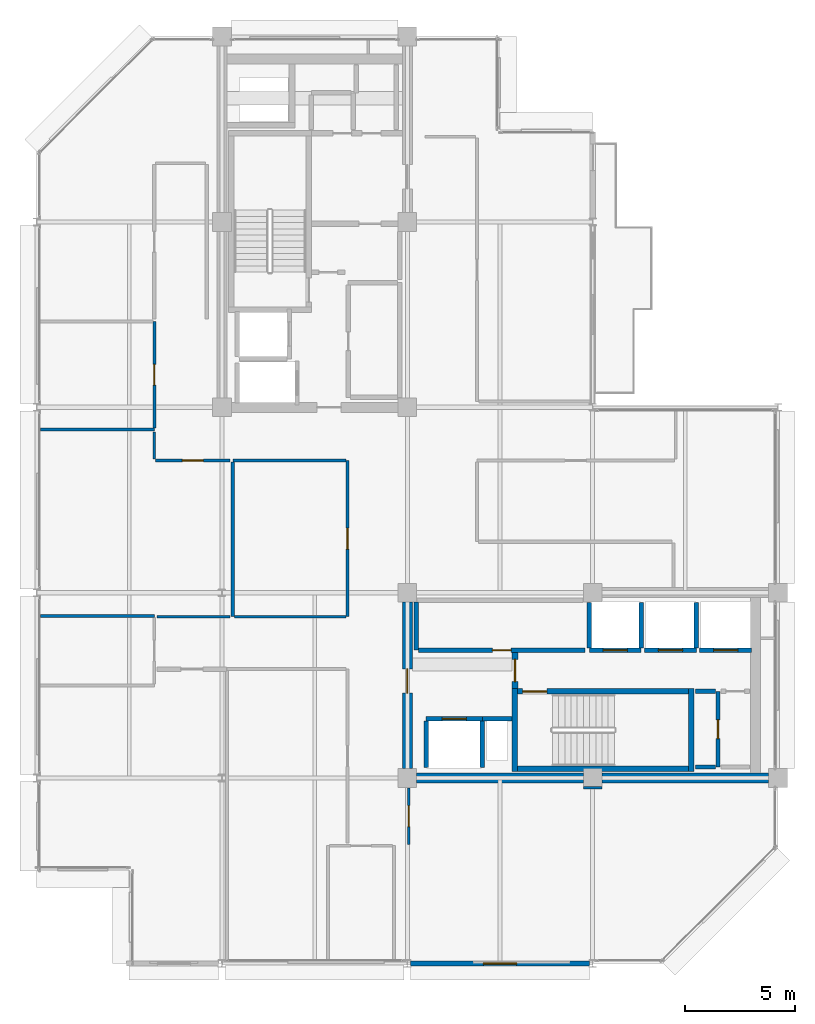
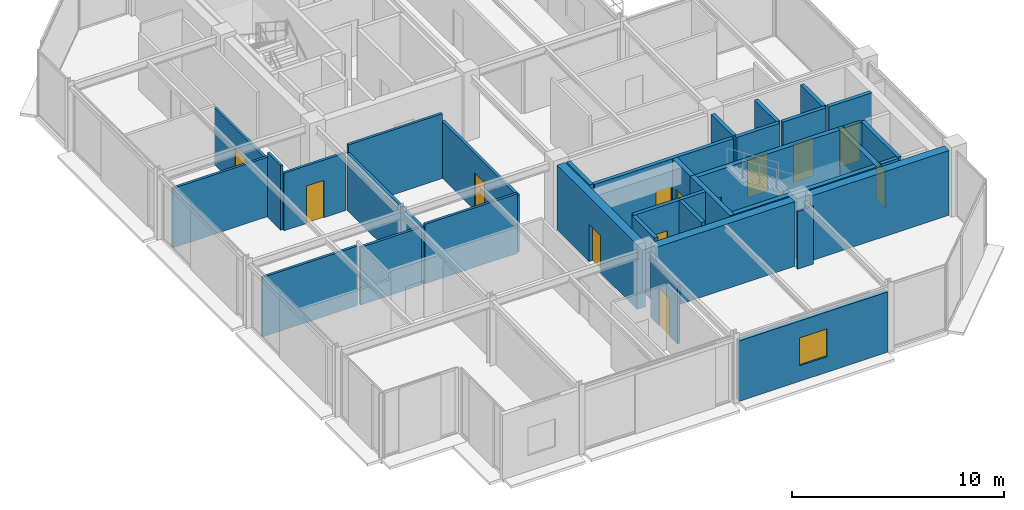
# One storey, part 20 of 25: 36 walls, 13 doors, 1 window, 14 openings.
"""IFC4 building model written with IfcOpenShell, lengths in metres."""

from ifc_helpers import new_model, si_unit, direction, frame, frame_2d, origin, place, context, subcontext, project, spatial, rectangle, extrude, material, layer, layer_set, type_object, element, fill, save


model = new_model("IFC4")

# Units and contexts
model_context = context("Model", 3, precision=1e-05, world=origin(), true_north=direction((0.0, 1.0)))
body_context = subcontext(model_context, "Body", "Model", "MODEL_VIEW")
ifc_project = project(units=[si_unit("LENGTHUNIT", "METRE"), si_unit("AREAUNIT", "SQUARE_METRE"), si_unit("VOLUMEUNIT", "CUBIC_METRE"), si_unit("PLANEANGLEUNIT", "RADIAN"), si_unit("MASSUNIT", "GRAM", prefix="KILO")], contexts=[model_context])

# Site, building, storey
site_placement = place(None, origin())
site = spatial("IfcSite", under=ifc_project, at=site_placement, CompositionType="ELEMENT")
building_placement = place(site_placement, origin())
building = spatial("IfcBuilding", under=site, at=building_placement, Name="Nerrivon Quay Data Exchange", CompositionType="ELEMENT")
storey_placement = place(building_placement, frame((0.0, 0.0, 302.199951171875)))
storey = spatial("IfcBuildingStorey", under=building, at=storey_placement, Name="L72", CompositionType="ELEMENT", Elevation=302.199951171875)

# Wall, opening, window
ifc_material_1 = material(Name="Architectural terracotta precast concrete N50 (50 MPa)", Category="masonry")
ifc_layer_1 = layer(ifc_material_1, 0.239990234375)
ifc_layer_set_1 = layer_set([ifc_layer_1], Name="Architectural terracotta precast concrete N50 (50 MPa)")
wall_type_1 = type_object("IfcWallType", Name="EW-PREC-240", PredefinedType="STANDARD", material=ifc_layer_set_1)
wall_1_placement = place(storey_placement, frame((25.04443359375, 0.0, 0.0), z_axis=(0.0, 0.0, 1.0), x_axis=(-1.0, 0.0, 0.0)))
wall_1 = element("IfcWall", 1, at=wall_1_placement, inside=storey, type_object=wall_type_1, Name="L72 Podium Precast Spandrel Wall 3", PredefinedType="STANDARD", context=body_context, shape_type="SweptSolid", body=[
    extrude(rectangle(XDim=8.0888671875, YDim=0.239990234375, at=frame_2d((4.04443359375, 0.0))), origin(), (0.0, 0.0, 1.0), 3.47509765625),
])
opening_1_placement = place(wall_1_placement, frame((3.29443359375, 0.0, 0.89990234375)))
opening_1 = element("IfcOpeningElement", 2, at=opening_1_placement, cuts=wall_1, Name="Opening WN4", PredefinedType="OPENING", context=body_context, shape_type="SweptSolid", body=[
    extrude(rectangle(XDim=1.5, YDim=1.60009765625, at=frame_2d((0.75, 0.800048828125))), frame((0.0, 0.1298828125, 0.0), z_axis=(0.0, -1.0, 0.0), x_axis=(1.0, 0.0, 0.0)), (0.0, 0.0, 1.0), 0.260009765625),
])
ifc_material_2 = material(Name="Double-glazed low-E solar control glass", Category="glass")
window_type = type_object("IfcWindowType", Name="WIN-W4-1500x1600", PartitioningType="SINGLE_PANEL", PredefinedType="WINDOW", material=ifc_material_2)
window_placement = place(opening_1_placement, origin())
window = element("IfcWindow", 3, at=window_placement, inside=storey, type_object=window_type, Name="L72 Solar Facade Window 3", OverallHeight=1.60009765625, OverallWidth=1.5, PartitioningType="SINGLE_PANEL", PredefinedType="WINDOW", context=body_context, shape_type="SweptSolid", body=[
    extrude(rectangle(XDim=1.5, YDim=1.60009765625, at=frame_2d((0.75, 0.800048828125))), frame((0.0, 0.030029296875, 0.0), z_axis=(0.0, -1.0, 0.0), x_axis=(1.0, 0.0, 0.0)), (0.0, 0.0, 1.0), 0.06005859375),
])
fill(opening_1, window)

# Walls
ifc_material_3 = material(Name="Concrete N50 (50 MPa)", Category="concrete")
ifc_layer_2 = layer(ifc_material_3, 0.449951171875)
ifc_layer_set_2 = layer_set([ifc_layer_2], Name="Concrete N50 (50 MPa)")
wall_type_2 = type_object("IfcWallType", Name="WALL-CW-550", PredefinedType="SHEAR", material=ifc_layer_set_2)
wall_2_placement = place(storey_placement, frame((17.22509765625, 8.39990234375, 0.0), z_axis=(0.0, 0.0, 1.0), x_axis=(1.0, 0.0, 0.0)))
element("IfcWall", 4, at=wall_2_placement, inside=storey, type_object=wall_type_2, Name="L72 East Split-Core Shear Wall ECW-S1", PredefinedType="SHEAR", context=body_context, shape_type="SweptSolid", body=[
    extrude(rectangle(XDim=7.5498046875, YDim=0.449951171875, at=frame_2d((3.77490234375, 0.0))), origin(), (0.0, 0.0, 1.0), 3.72509765625),
])
wall_3_placement = place(storey_placement, frame((25.625, 8.39990234375, 0.0), z_axis=(0.0, 0.0, 1.0), x_axis=(1.0, 0.0, 0.0)))
element("IfcWall", 5, at=wall_3_placement, inside=storey, type_object=wall_type_2, Name="L72 East Split-Core Shear Wall ECW-S2", PredefinedType="SHEAR", context=body_context, shape_type="SweptSolid", body=[
    extrude(rectangle(XDim=7.550048828125, YDim=0.449951171875, at=frame_2d((3.77490234375, 0.0))), origin(), (0.0, 0.0, 1.0), 3.72509765625),
])

# Wall, opening, door
wall_4_placement = place(storey_placement, frame((16.800048828125, 8.824951171875, 0.0), z_axis=(0.0, 0.0, 1.0), x_axis=(0.0, 1.0, 0.0)))
wall_4 = element("IfcWall", 6, at=wall_4_placement, inside=storey, type_object=wall_type_2, Name="L72 East Split-Core Shear Wall ECW-W1", PredefinedType="SHEAR", context=body_context, shape_type="SweptSolid", body=[
    extrude(rectangle(XDim=7.550048828125, YDim=0.449951171875, at=frame_2d((3.77490234375, 0.0))), origin(), (0.0, 0.0, 1.0), 3.72509765625),
])
opening_2_placement = place(wall_4_placement, frame((3.425048828125, 0.0, 0.0)))
opening_2 = element("IfcOpeningElement", 7, at=opening_2_placement, cuts=wall_4, Name="Opening FD-120", PredefinedType="OPENING", context=body_context, shape_type="SweptSolid", body=[
    extrude(rectangle(XDim=1.10009765625, YDim=2.14990234375, at=frame_2d((0.550048828125, 1.074951171875))), frame((0.0, 0.23486328125, 0.0), z_axis=(0.0, -1.0, 0.0), x_axis=(1.0, 0.0, 0.0)), (0.0, 0.0, 1.0), 0.469970703125),
])
ifc_material_4 = material(Name="Powder-coated galvanized steel sheet", Category="steel")
door_type_1 = type_object("IfcDoorType", Name="DR-FD120-1100", OperationType="NOTDEFINED", PredefinedType="DOOR", material=ifc_material_4)
door_1_placement = place(opening_2_placement, origin())
door_1 = element("IfcDoor", 8, at=door_1_placement, inside=storey, type_object=door_type_1, Name="L72 East Core Lobby Fire Door", OperationType="SINGLE_SWING_RIGHT", OverallHeight=2.14990234375, OverallWidth=1.10009765625, PredefinedType="DOOR", context=body_context, shape_type="SweptSolid", body=[
    extrude(rectangle(XDim=1.10009765625, YDim=2.14990234375, at=frame_2d((0.550048828125, 1.074951171875))), frame((0.0, 0.02490234375, 0.0), z_axis=(0.0, -1.0, 0.0), x_axis=(1.0, 0.0, 0.0)), (0.0, 0.0, 1.0), 0.050048828125),
])
fill(opening_2, door_1)

# Wall
ifc_material_5 = material(Name="Gypsum plasterboard on cold-formed framing", Category="gypsum")
ifc_layer_3 = layer(ifc_material_5, 0.199951171875)
ifc_layer_set_3 = layer_set([ifc_layer_3], Name="Gypsum plasterboard on cold-formed framing")
wall_type_3 = type_object("IfcWallType", Name="WALL-FW-200", PredefinedType="PARTITIONING", material=ifc_layer_set_3)
wall_5_placement = place(storey_placement, frame((20.199951171875, 11.080078125, 0.0), z_axis=(0.0, 0.0, 1.0), x_axis=(1.0, 0.0, 0.0)))
element("IfcWall", 9, at=wall_5_placement, inside=storey, type_object=wall_type_3, Name="L72 East Core MEP Riser Shaft Wall N", PredefinedType="PARTITIONING", context=body_context, shape_type="SweptSolid", body=[
    extrude(rectangle(XDim=1.35009765625, YDim=0.199951171875, at=frame_2d((0.675048828125, 0.0))), origin(), (0.0, 0.0, 1.0), 3.72509765625),
])

# Wall, opening, door
wall_6_placement = place(storey_placement, frame((17.64990234375, 11.080078125, 0.0), z_axis=(0.0, 0.0, 1.0), x_axis=(1.0, 0.0, 0.0)))
wall_6 = element("IfcWall", 10, at=wall_6_placement, inside=storey, type_object=wall_type_3, Name="L72 Lift Front Wall FFL-2", PredefinedType="PARTITIONING", context=body_context, shape_type="SweptSolid", body=[
    extrude(rectangle(XDim=2.550048828125, YDim=0.199951171875, at=frame_2d((1.27490234375, 0.0))), origin(), (0.0, 0.0, 1.0), 3.72509765625),
])
opening_3_placement = place(wall_6_placement, frame((0.72509765625, 0.0, 0.0)))
opening_3 = element("IfcOpeningElement", 11, at=opening_3_placement, cuts=wall_6, Name="Opening LD-120", PredefinedType="OPENING", context=body_context, shape_type="SweptSolid", body=[
    extrude(rectangle(XDim=1.10009765625, YDim=2.199951171875, at=frame_2d((0.550048828125, 1.10009765625))), frame((0.0, 0.10986328125, 0.0), z_axis=(0.0, -1.0, 0.0), x_axis=(1.0, 0.0, 0.0)), (0.0, 0.0, 1.0), 0.219970703125),
])
door_type_2 = type_object("IfcDoorType", Name="DR-LIFT-LD120", OperationType="DOUBLE_DOOR_SLIDING", PredefinedType="DOOR", material=ifc_material_4)
door_2_placement = place(opening_3_placement, origin())
door_2 = element("IfcDoor", 12, at=door_2_placement, inside=storey, type_object=door_type_2, Name="L72 Lift Landing Sliding Door FFL-2", OperationType="DOUBLE_DOOR_SLIDING", OverallHeight=2.199951171875, OverallWidth=1.10009765625, PredefinedType="DOOR", context=body_context, shape_type="SweptSolid", body=[
    extrude(rectangle(XDim=1.10009765625, YDim=2.199951171875, at=frame_2d((0.550048828125, 1.10009765625))), frame((0.0, 0.02490234375, 0.0), z_axis=(0.0, -1.0, 0.0), x_axis=(1.0, 0.0, 0.0)), (0.0, 0.0, 1.0), 0.050048828125),
])
fill(opening_3, door_2)

# Walls
for number, where, z_axis, x_axis, name in (
    (13, (20.199951171875, 8.8798828125, 0.0), (0.0, 0.0, 1.0), (0.0, 1.0, 0.0), "L72 Lift Shaft Wall FFL-2 EAST"),
    (14, (17.64990234375, 8.8798828125, 0.0), (0.0, 0.0, 1.0), (0.0, 1.0, 0.0), "L72 Lift Shaft Wall FFL-2 WEST"),
):
    element("IfcWall", number, at=place(storey_placement, frame(where, z_axis=z_axis, x_axis=x_axis)), inside=storey, type_object=wall_type_3, Name=name, PredefinedType="PARTITIONING", context=body_context, shape_type="SweptSolid", body=[
        extrude(rectangle(XDim=2.10009765625, YDim=0.199951171875, at=frame_2d((1.050048828125, 0.0))), origin(), (0.0, 0.0, 1.0), 3.72509765625),
    ])

# Wall, opening, door
wall_7_placement = place(storey_placement, frame((25.050048828125, 14.199951171875, 0.0), z_axis=(0.0, 0.0, 1.0), x_axis=(1.0, 0.0, 0.0)))
wall_7 = element("IfcWall", 15, at=wall_7_placement, inside=storey, type_object=wall_type_3, Name="L72 Lift Front Wall PL7", PredefinedType="PARTITIONING", context=body_context, shape_type="SweptSolid", body=[
    extrude(rectangle(XDim=2.349853515625, YDim=0.199951171875, at=frame_2d((1.1748046875, 0.0))), origin(), (0.0, 0.0, 1.0), 3.72509765625),
])
opening_4_placement = place(wall_7_placement, frame((0.625, 0.0, 0.0)))
opening_4 = element("IfcOpeningElement", 16, at=opening_4_placement, cuts=wall_7, Name="Opening LD-120", PredefinedType="OPENING", context=body_context, shape_type="SweptSolid", body=[
    extrude(rectangle(XDim=1.10009765625, YDim=2.199951171875, at=frame_2d((0.550048828125, 1.10009765625))), frame((0.0, 0.10986328125, 0.0), z_axis=(0.0, -1.0, 0.0), x_axis=(1.0, 0.0, 0.0)), (0.0, 0.0, 1.0), 0.219970703125),
])
door_3_placement = place(opening_4_placement, origin())
door_3 = element("IfcDoor", 17, at=door_3_placement, inside=storey, type_object=door_type_2, Name="L72 Lift Landing Sliding Door PL7", OperationType="DOUBLE_DOOR_SLIDING", OverallHeight=2.199951171875, OverallWidth=1.10009765625, PredefinedType="DOOR", context=body_context, shape_type="SweptSolid", body=[
    extrude(rectangle(XDim=1.10009765625, YDim=2.199951171875, at=frame_2d((0.550048828125, 1.10009765625))), frame((0.0, 0.02490234375, 0.0), z_axis=(0.0, -1.0, 0.0), x_axis=(1.0, 0.0, 0.0)), (0.0, 0.0, 1.0), 0.050048828125),
])
fill(opening_4, door_3)

# Walls
for number, where, z_axis, x_axis, name in (
    (18, (27.39990234375, 14.300048828125, 0.0), (0.0, 0.0, 1.0), (0.0, 1.0, 0.0), "L72 Lift Shaft Wall PL7 EAST"),
    (19, (25.050048828125, 14.300048828125, 0.0), (0.0, 0.0, 1.0), (0.0, 1.0, 0.0), "L72 Lift Shaft Wall PL7 WEST"),
):
    element("IfcWall", number, at=place(storey_placement, frame(where, z_axis=z_axis, x_axis=x_axis)), inside=storey, type_object=wall_type_3, Name=name, PredefinedType="PARTITIONING", context=body_context, shape_type="SweptSolid", body=[
        extrude(rectangle(XDim=2.050048828125, YDim=0.199951171875, at=frame_2d((1.02490234375, 0.0))), origin(), (0.0, 0.0, 1.0), 3.72509765625),
    ])

# Wall, opening, door
wall_8_placement = place(storey_placement, frame((27.550048828125, 14.199951171875, 0.0), z_axis=(0.0, 0.0, 1.0), x_axis=(1.0, 0.0, 0.0)))
wall_8 = element("IfcWall", 20, at=wall_8_placement, inside=storey, type_object=wall_type_3, Name="L72 Lift Front Wall PL8", PredefinedType="PARTITIONING", context=body_context, shape_type="SweptSolid", body=[
    extrude(rectangle(XDim=2.349853515625, YDim=0.199951171875, at=frame_2d((1.1748046875, 0.0))), origin(), (0.0, 0.0, 1.0), 3.72509765625),
])
opening_5_placement = place(wall_8_placement, frame((0.625, 0.0, 0.0)))
opening_5 = element("IfcOpeningElement", 21, at=opening_5_placement, cuts=wall_8, Name="Opening LD-120", PredefinedType="OPENING", context=body_context, shape_type="SweptSolid", body=[
    extrude(rectangle(XDim=1.10009765625, YDim=2.199951171875, at=frame_2d((0.550048828125, 1.10009765625))), frame((0.0, 0.10986328125, 0.0), z_axis=(0.0, -1.0, 0.0), x_axis=(1.0, 0.0, 0.0)), (0.0, 0.0, 1.0), 0.219970703125),
])
door_4_placement = place(opening_5_placement, origin())
door_4 = element("IfcDoor", 22, at=door_4_placement, inside=storey, type_object=door_type_2, Name="L72 Lift Landing Sliding Door PL8", OperationType="DOUBLE_DOOR_SLIDING", OverallHeight=2.199951171875, OverallWidth=1.10009765625, PredefinedType="DOOR", context=body_context, shape_type="SweptSolid", body=[
    extrude(rectangle(XDim=1.10009765625, YDim=2.199951171875, at=frame_2d((0.550048828125, 1.10009765625))), frame((0.0, 0.02490234375, 0.0), z_axis=(0.0, -1.0, 0.0), x_axis=(1.0, 0.0, 0.0)), (0.0, 0.0, 1.0), 0.050048828125),
])
fill(opening_5, door_4)

# Wall
wall_9_placement = place(storey_placement, frame((29.89990234375, 14.300048828125, 0.0), z_axis=(0.0, 0.0, 1.0), x_axis=(0.0, 1.0, 0.0)))
element("IfcWall", 23, at=wall_9_placement, inside=storey, type_object=wall_type_3, Name="L72 Lift Shaft Wall PL8 EAST", PredefinedType="PARTITIONING", context=body_context, shape_type="SweptSolid", body=[
    extrude(rectangle(XDim=2.050048828125, YDim=0.199951171875, at=frame_2d((1.02490234375, 0.0))), origin(), (0.0, 0.0, 1.0), 3.72509765625),
])

# Wall, opening, door
wall_10_placement = place(storey_placement, frame((30.050048828125, 14.199951171875, 0.0), z_axis=(0.0, 0.0, 1.0), x_axis=(1.0, 0.0, 0.0)))
wall_10 = element("IfcWall", 24, at=wall_10_placement, inside=storey, type_object=wall_type_3, Name="L72 Lift Front Wall PL9", PredefinedType="PARTITIONING", context=body_context, shape_type="SweptSolid", body=[
    extrude(rectangle(XDim=2.349853515625, YDim=0.199951171875, at=frame_2d((1.1748046875, 0.0))), origin(), (0.0, 0.0, 1.0), 3.72509765625),
])
opening_6_placement = place(wall_10_placement, frame((0.625, 0.0, 0.0)))
opening_6 = element("IfcOpeningElement", 25, at=opening_6_placement, cuts=wall_10, Name="Opening LD-120", PredefinedType="OPENING", context=body_context, shape_type="SweptSolid", body=[
    extrude(rectangle(XDim=1.10009765625, YDim=2.199951171875, at=frame_2d((0.550048828125, 1.10009765625))), frame((0.0, 0.10986328125, 0.0), z_axis=(0.0, -1.0, 0.0), x_axis=(1.0, 0.0, 0.0)), (0.0, 0.0, 1.0), 0.219970703125),
])
door_5_placement = place(opening_6_placement, origin())
door_5 = element("IfcDoor", 26, at=door_5_placement, inside=storey, type_object=door_type_2, Name="L72 Lift Landing Sliding Door PL9", OperationType="DOUBLE_DOOR_SLIDING", OverallHeight=2.199951171875, OverallWidth=1.10009765625, PredefinedType="DOOR", context=body_context, shape_type="SweptSolid", body=[
    extrude(rectangle(XDim=1.10009765625, YDim=2.199951171875, at=frame_2d((0.550048828125, 1.10009765625))), frame((0.0, 0.02490234375, 0.0), z_axis=(0.0, -1.0, 0.0), x_axis=(1.0, 0.0, 0.0)), (0.0, 0.0, 1.0), 0.050048828125),
])
fill(opening_6, door_5)

# Wall
wall_11_placement = place(storey_placement, frame((17.199951171875, 16.3701171875, 0.0), z_axis=(0.0, 0.0, 1.0), x_axis=(0.0, -1.0, 0.0)))
element("IfcWall", 27, at=wall_11_placement, inside=storey, type_object=wall_type_3, Name="L72 Partition High-Zone Patching Archive", PredefinedType="PARTITIONING", context=body_context, shape_type="SweptSolid", body=[
    extrude(rectangle(XDim=2.170166015625, YDim=0.199951171875, at=frame_2d((1.0849609375, 0.0))), origin(), (0.0, 0.0, 1.0), 3.72509765625),
])

# Wall, opening, door
wall_12_placement = place(storey_placement, frame((17.303955078125, 14.199951171875, 0.0), z_axis=(0.0, 0.0, 1.0), x_axis=(1.0, 0.0, 0.0)))
wall_12 = element("IfcWall", 28, at=wall_12_placement, inside=storey, type_object=wall_type_3, Name="L72 Partition High-Zone Patching Archive", PredefinedType="PARTITIONING", context=body_context, shape_type="SweptSolid", body=[
    extrude(rectangle(XDim=7.546142578125, YDim=0.199951171875, at=frame_2d((3.77294921875, 0.0))), origin(), (0.0, 0.0, 1.0), 3.72509765625),
])
opening_7_placement = place(wall_12_placement, frame((3.347900390625, 0.0, 0.0)))
opening_7 = element("IfcOpeningElement", 29, at=opening_7_placement, cuts=wall_12, Name="Opening FD-60S", PredefinedType="OPENING", context=body_context, shape_type="SweptSolid", body=[
    extrude(rectangle(XDim=0.85009765625, YDim=2.14990234375, at=frame_2d((0.425048828125, 1.074951171875))), frame((0.0, 0.10986328125, 0.0), z_axis=(0.0, -1.0, 0.0), x_axis=(1.0, 0.0, 0.0)), (0.0, 0.0, 1.0), 0.219970703125),
])
ifc_material_6 = material(Name="Engineered hardwood timber", Category="wood")
door_type_3 = type_object("IfcDoorType", Name="DR-FD60-850", OperationType="NOTDEFINED", PredefinedType="DOOR", material=ifc_material_6)
door_6_placement = place(opening_7_placement, origin())
door_6 = element("IfcDoor", 30, at=door_6_placement, inside=storey, type_object=door_type_3, Name="L72 Door High-Zone Patching Archive", OperationType="SINGLE_SWING_LEFT", OverallHeight=2.14990234375, OverallWidth=0.85009765625, PredefinedType="DOOR", context=body_context, shape_type="SweptSolid", body=[
    extrude(rectangle(XDim=0.85009765625, YDim=2.14990234375, at=frame_2d((0.425048828125, 1.074951171875))), frame((0.0, 0.02490234375, 0.0), z_axis=(0.0, -1.0, 0.0), x_axis=(1.0, 0.0, 0.0)), (0.0, 0.0, 1.0), 0.050048828125),
])
fill(opening_7, door_6)

wall_13_placement = place(storey_placement, frame((30.8798828125, 8.89990234375, 0.0), z_axis=(0.0, 0.0, 1.0), x_axis=(0.0, 1.0, 0.0)))
wall_13 = element("IfcWall", 31, at=wall_13_placement, inside=storey, type_object=wall_type_3, Name="L72 Partition East Electrical Closet", PredefinedType="PARTITIONING", context=body_context, shape_type="SweptSolid", body=[
    extrude(rectangle(XDim=3.43017578125, YDim=0.199951171875, at=frame_2d((1.715087890625, 0.0))), origin(), (0.0, 0.0, 1.0), 3.72509765625),
])
opening_8_placement = place(wall_13_placement, frame((1.2900390625, 0.0, 0.0)))
opening_8 = element("IfcOpeningElement", 32, at=opening_8_placement, cuts=wall_13, Name="Opening FD-60S", PredefinedType="OPENING", context=body_context, shape_type="SweptSolid", body=[
    extrude(rectangle(XDim=0.85009765625, YDim=2.14990234375, at=frame_2d((0.425048828125, 1.074951171875))), frame((0.0, 0.10986328125, 0.0), z_axis=(0.0, -1.0, 0.0), x_axis=(1.0, 0.0, 0.0)), (0.0, 0.0, 1.0), 0.219970703125),
])
door_7_placement = place(opening_8_placement, origin())
door_7 = element("IfcDoor", 33, at=door_7_placement, inside=storey, type_object=door_type_3, Name="L72 Door East Electrical Closet", OperationType="SINGLE_SWING_RIGHT", OverallHeight=2.14990234375, OverallWidth=0.85009765625, PredefinedType="DOOR", context=body_context, shape_type="SweptSolid", body=[
    extrude(rectangle(XDim=0.85009765625, YDim=2.14990234375, at=frame_2d((0.425048828125, 1.074951171875))), frame((0.0, 0.02490234375, 0.0), z_axis=(0.0, -1.0, 0.0), x_axis=(1.0, 0.0, 0.0)), (0.0, 0.0, 1.0), 0.050048828125),
])
fill(opening_8, door_7)

# Walls
for number, where, z_axis, x_axis, name in (
    (34, (30.77587890625, 12.330078125, 0.0), (0.0, 0.0, 1.0), (-1.0, 0.0, 0.0), "L72 Partition East Electrical Closet"),
    (35, (29.85009765625, 8.89990234375, 0.0), (0.0, 0.0, 1.0), (1.0, 0.0, 0.0), "L72 Partition East Electrical Closet"),
):
    element("IfcWall", number, at=place(storey_placement, frame(where, z_axis=z_axis, x_axis=x_axis)), inside=storey, type_object=wall_type_3, Name=name, PredefinedType="PARTITIONING", context=body_context, shape_type="SweptSolid", body=[
        extrude(rectangle(XDim=0.92578125, YDim=0.199951171875, at=frame_2d((0.462890625, 0.0))), origin(), (0.0, 0.0, 1.0), 3.72509765625),
    ])
ifc_layer_4 = layer(ifc_material_5, 0.1201171875)
ifc_layer_set_4 = layer_set([ifc_layer_4], Name="Gypsum plasterboard on cold-formed framing")
wall_type_4 = type_object("IfcWallType", Name="WALL-PT-120", PredefinedType="PARTITIONING", material=ifc_layer_set_4)
wall_14_placement = place(storey_placement, frame((5.340087890625, 22.85009765625, 0.0), z_axis=(0.0, 0.0, 1.0), x_axis=(0.0, 1.0, 0.0)))
element("IfcWall", 36, at=wall_14_placement, inside=storey, type_object=wall_type_4, Name="L72 Partition Client Conference Room 1", PredefinedType="PARTITIONING", context=body_context, shape_type="SweptSolid", body=[
    extrude(rectangle(XDim=1.225341796875, YDim=0.1201171875, at=frame_2d((0.61279296875, 0.0))), origin(), (0.0, 0.0, 1.0), 3.72509765625),
])
wall_15_placement = place(storey_placement, frame((25.630859375, 7.955810546875, 0.0), z_axis=(0.0, 0.0, 1.0), x_axis=(-0.99999963391, -0.000855675671, 0.0)))
element("IfcWall", 37, at=wall_15_placement, inside=storey, type_object=wall_type_4, Name="L72 Partition Optical Engineering Studios Workspace", PredefinedType="PARTITIONING", context=body_context, shape_type="SweptSolid", body=[
    extrude(rectangle(XDim=0.85595703125, YDim=0.1201171875, at=frame_2d((0.427978515625, 0.0))), origin(), (0.0, 0.0, 1.0), 3.319091796875),
])

# Wall, opening, door
wall_16_placement = place(storey_placement, frame((16.860107421875, 7.955078125, 0.0), z_axis=(0.0, 0.0, 1.0), x_axis=(0.0, -1.0, 0.0)))
wall_16 = element("IfcWall", 38, at=wall_16_placement, inside=storey, type_object=wall_type_4, Name="L72 Partition Optical Engineering Studios Workspace", PredefinedType="PARTITIONING", context=body_context, shape_type="SweptSolid", body=[
    extrude(rectangle(XDim=2.55517578125, YDim=0.1201171875, at=frame_2d((1.277587890625, 0.0))), origin(), (0.0, 0.0, 1.0), 3.319091796875),
])
opening_9_placement = place(wall_16_placement, frame((0.802490234375, 0.0, 0.0)))
opening_9 = element("IfcOpeningElement", 39, at=opening_9_placement, cuts=wall_16, Name="Opening D-01", PredefinedType="OPENING", context=body_context, shape_type="SweptSolid", body=[
    extrude(rectangle(XDim=0.949951171875, YDim=2.14990234375, at=frame_2d((0.47509765625, 1.074951171875))), frame((0.0, 0.070068359375, 0.0), z_axis=(0.0, -1.0, 0.0), x_axis=(1.0, 0.0, 0.0)), (0.0, 0.0, 1.0), 0.14013671875),
])
door_type_4 = type_object("IfcDoorType", Name="DR-INT-950", OperationType="NOTDEFINED", PredefinedType="DOOR", material=ifc_material_6)
door_8_placement = place(opening_9_placement, origin())
door_8 = element("IfcDoor", 40, at=door_8_placement, inside=storey, type_object=door_type_4, Name="L72 Door Optical Engineering Studios Workspace", OperationType="SINGLE_SWING_RIGHT", OverallHeight=2.14990234375, OverallWidth=0.949951171875, PredefinedType="DOOR", context=body_context, shape_type="SweptSolid", body=[
    extrude(rectangle(XDim=0.949951171875, YDim=2.14990234375, at=frame_2d((0.47509765625, 1.074951171875))), frame((0.0, 0.02490234375, 0.0), z_axis=(0.0, -1.0, 0.0), x_axis=(1.0, 0.0, 0.0)), (0.0, 0.0, 1.0), 0.050048828125),
])
fill(opening_9, door_8)

# Walls
ifc_layer_5 = layer(ifc_material_5, 0.135009765625)
ifc_layer_set_5 = layer_set([ifc_layer_5], Name="Gypsum plasterboard on cold-formed framing")
wall_type_5 = type_object("IfcWallType", Name="WALL-PT-135", PredefinedType="PARTITIONING", material=ifc_layer_set_5)
for number, where, z_axis, x_axis, name in (
    (41, (5.340087890625, 15.75, 0.0), (0.0, 0.0, 1.0), (-1.0, 0.0, 0.0), "L72 Partition Accessible Toilet"),
    (42, (0.1689453125, 24.195556640625, 0.0), (0.0, 0.0, 1.0), (1.0, 0.0, 0.0), "L72 Partition Staff Pantry"),
):
    element("IfcWall", number, at=place(storey_placement, frame(where, z_axis=z_axis, x_axis=x_axis)), inside=storey, type_object=wall_type_5, Name=name, PredefinedType="PARTITIONING", context=body_context, shape_type="SweptSolid", body=[
        extrude(rectangle(XDim=5.171142578125, YDim=0.135009765625, at=frame_2d((2.58544921875, 0.0))), origin(), (0.0, 0.0, 1.0), 3.421142578125),
    ])

# Wall, opening, door
wall_17_placement = place(storey_placement, frame((5.340087890625, 24.26708984375, 0.0), z_axis=(0.0, 0.0, 1.0), x_axis=(0.0, 1.0, 0.0)))
wall_17 = element("IfcWall", 43, at=wall_17_placement, inside=storey, type_object=wall_type_5, Name="L72 Partition Staff Pantry", PredefinedType="PARTITIONING", context=body_context, shape_type="SweptSolid", body=[
    extrude(rectangle(XDim=4.814697265625, YDim=0.135009765625, at=frame_2d((2.4072265625, 0.0))), origin(), (0.0, 0.0, 1.0), 3.27099609375),
])
opening_10_placement = place(wall_17_placement, frame((1.9326171875, 0.0, 0.0)))
opening_10 = element("IfcOpeningElement", 44, at=opening_10_placement, cuts=wall_17, Name="Opening D-01", PredefinedType="OPENING", context=body_context, shape_type="SweptSolid", body=[
    extrude(rectangle(XDim=0.949951171875, YDim=2.14990234375, at=frame_2d((0.47509765625, 1.074951171875))), frame((0.0, 0.077392578125, 0.0), z_axis=(0.0, -1.0, 0.0), x_axis=(1.0, 0.0, 0.0)), (0.0, 0.0, 1.0), 0.155029296875),
])
door_9_placement = place(opening_10_placement, origin())
door_9 = element("IfcDoor", 45, at=door_9_placement, inside=storey, type_object=door_type_4, Name="L72 Door Staff Pantry", OperationType="SINGLE_SWING_RIGHT", OverallHeight=2.14990234375, OverallWidth=0.949951171875, PredefinedType="DOOR", context=body_context, shape_type="SweptSolid", body=[
    extrude(rectangle(XDim=0.949951171875, YDim=2.14990234375, at=frame_2d((0.47509765625, 1.074951171875))), frame((0.0, 0.02490234375, 0.0), z_axis=(0.0, -1.0, 0.0), x_axis=(1.0, 0.0, 0.0)), (0.0, 0.0, 1.0), 0.050048828125),
])
fill(opening_10, door_9)

# Walls
wall_18_placement = place(storey_placement, frame((14.010986328125, 22.7900390625, 0.0), z_axis=(0.0, 0.0, 1.0), x_axis=(-1.0, 0.0, 0.0)))
element("IfcWall", 46, at=wall_18_placement, inside=storey, type_object=wall_type_5, Name="L72 Partition Network Security Control", PredefinedType="PARTITIONING", context=body_context, shape_type="SweptSolid", body=[
    extrude(rectangle(XDim=5.117919921875, YDim=0.135009765625, at=frame_2d((2.55908203125, 0.0))), origin(), (0.0, 0.0, 1.0), 3.72509765625),
])
wall_19_placement = place(storey_placement, frame((8.97216796875, 15.7099609375, 0.0), z_axis=(0.0, 0.0, 1.0), x_axis=(1.0, 0.0, 0.0)))
element("IfcWall", 47, at=wall_19_placement, inside=storey, type_object=wall_type_5, Name="L72 Partition Network Security Control", PredefinedType="PARTITIONING", context=body_context, shape_type="SweptSolid", body=[
    extrude(rectangle(XDim=5.038818359375, YDim=0.135009765625, at=frame_2d((2.51953125, 0.0))), origin(), (0.0, 0.0, 1.0), 3.421142578125),
])
wall_20_placement = place(storey_placement, frame((5.4599609375, 15.7099609375, 0.0), z_axis=(0.0, 0.0, 1.0), x_axis=(1.0, 0.0, 0.0)))
element("IfcWall", 48, at=wall_20_placement, inside=storey, type_object=wall_type_5, Name="L72 Partition Client Conference Room 1", PredefinedType="PARTITIONING", context=body_context, shape_type="SweptSolid", body=[
    extrude(rectangle(XDim=3.313232421875, YDim=0.135009765625, at=frame_2d((1.65673828125, 0.0))), origin(), (0.0, 0.0, 1.0), 3.319091796875),
])

# Wall, opening, door
wall_21_placement = place(storey_placement, frame((8.773193359375, 22.7900390625, 0.0), z_axis=(0.0, 0.0, 1.0), x_axis=(-1.0, 0.0, 0.0)))
wall_21 = element("IfcWall", 49, at=wall_21_placement, inside=storey, type_object=wall_type_5, Name="L72 Partition Client Conference Room 1", PredefinedType="PARTITIONING", context=body_context, shape_type="SweptSolid", body=[
    extrude(rectangle(XDim=3.373291015625, YDim=0.135009765625, at=frame_2d((1.6865234375, 0.0))), origin(), (0.0, 0.0, 1.0), 3.319091796875),
])
opening_11_placement = place(wall_21_placement, frame((1.21142578125, 0.0, 0.0)))
opening_11 = element("IfcOpeningElement", 50, at=opening_11_placement, cuts=wall_21, Name="Opening D-01", PredefinedType="OPENING", context=body_context, shape_type="SweptSolid", body=[
    extrude(rectangle(XDim=0.949951171875, YDim=2.14990234375, at=frame_2d((0.47509765625, 1.074951171875))), frame((0.0, 0.077392578125, 0.0), z_axis=(0.0, -1.0, 0.0), x_axis=(1.0, 0.0, 0.0)), (0.0, 0.0, 1.0), 0.155029296875),
])
door_10_placement = place(opening_11_placement, origin())
door_10 = element("IfcDoor", 51, at=door_10_placement, inside=storey, type_object=door_type_4, Name="L72 Door Client Conference Room 1", OperationType="SINGLE_SWING_LEFT", OverallHeight=2.14990234375, OverallWidth=0.949951171875, PredefinedType="DOOR", context=body_context, shape_type="SweptSolid", body=[
    extrude(rectangle(XDim=0.949951171875, YDim=2.14990234375, at=frame_2d((0.47509765625, 1.074951171875))), frame((0.0, 0.02490234375, 0.0), z_axis=(0.0, -1.0, 0.0), x_axis=(1.0, 0.0, 0.0)), (0.0, 0.0, 1.0), 0.050048828125),
])
fill(opening_11, door_10)

ifc_layer_6 = layer(ifc_material_5, 0.14990234375)
ifc_layer_set_6 = layer_set([ifc_layer_6], Name="Gypsum plasterboard on cold-formed framing")
wall_type_6 = type_object("IfcWallType", Name="WALL-PT-150", PredefinedType="PARTITIONING", material=ifc_layer_set_6)
wall_22_placement = place(storey_placement, frame((14.090087890625, 15.7099609375, 0.0), z_axis=(0.0, 0.0, 1.0), x_axis=(0.0, 1.0, 0.0)))
wall_22 = element("IfcWall", 52, at=wall_22_placement, inside=storey, type_object=wall_type_6, Name="L72 Partition Network Security Control", PredefinedType="PARTITIONING", context=body_context, shape_type="SweptSolid", body=[
    extrude(rectangle(XDim=7.080078125, YDim=0.14990234375, at=frame_2d((3.5400390625, 0.0))), origin(), (0.0, 0.0, 1.0), 3.27099609375),
])
opening_12_placement = place(wall_22_placement, frame((3.06494140625, 0.0, 0.0)))
opening_12 = element("IfcOpeningElement", 53, at=opening_12_placement, cuts=wall_22, Name="Opening D-01", PredefinedType="OPENING", context=body_context, shape_type="SweptSolid", body=[
    extrude(rectangle(XDim=0.949951171875, YDim=2.14990234375, at=frame_2d((0.47509765625, 1.074951171875))), frame((0.0, 0.0849609375, 0.0), z_axis=(0.0, -1.0, 0.0), x_axis=(1.0, 0.0, 0.0)), (0.0, 0.0, 1.0), 0.169921875),
])
door_11_placement = place(opening_12_placement, origin())
door_11 = element("IfcDoor", 54, at=door_11_placement, inside=storey, type_object=door_type_4, Name="L72 Door Network Security Control", OperationType="SINGLE_SWING_LEFT", OverallHeight=2.14990234375, OverallWidth=0.949951171875, PredefinedType="DOOR", context=body_context, shape_type="SweptSolid", body=[
    extrude(rectangle(XDim=0.949951171875, YDim=2.14990234375, at=frame_2d((0.47509765625, 1.074951171875))), frame((0.0, 0.02490234375, 0.0), z_axis=(0.0, -1.0, 0.0), x_axis=(1.0, 0.0, 0.0)), (0.0, 0.0, 1.0), 0.050048828125),
])
fill(opening_12, door_11)

# Walls
wall_23_placement = place(storey_placement, frame((8.89306640625, 22.718505859375, 0.0), z_axis=(0.0, 0.0, 1.0), x_axis=(0.0, -1.0, 0.0)))
element("IfcWall", 55, at=wall_23_placement, inside=storey, type_object=wall_type_6, Name="L72 Partition Network Security Control", PredefinedType="PARTITIONING", context=body_context, shape_type="SweptSolid", body=[
    extrude(rectangle(XDim=7.008544921875, YDim=0.14990234375, at=frame_2d((3.50439453125, 0.0))), origin(), (0.0, 0.0, 1.0), 3.27099609375),
])
ifc_layer_7 = layer(ifc_material_3, 0.25)
ifc_layer_set_7 = layer_set([ifc_layer_7], Name="Concrete N50 (50 MPa)")
wall_type_7 = type_object("IfcWallType", Name="WALL-SW-250", PredefinedType="SHEAR", material=ifc_layer_set_7)
for number, where, z_axis, x_axis, name in (
    (56, (21.675048828125, 8.699951171875, 0.0), (0.0, 0.0, 1.0), (0.0, 1.0, 0.0), "L72 ST02 Structural Stair Core Wall NEAR"),
    (57, (29.675048828125, 8.699951171875, 0.0), (0.0, 0.0, 1.0), (0.0, 1.0, 0.0), "L72 ST02 Structural Stair Core Wall FAR"),
):
    element("IfcWall", number, at=place(storey_placement, frame(where, z_axis=z_axis, x_axis=x_axis)), inside=storey, type_object=wall_type_7, Name=name, PredefinedType="SHEAR", context=body_context, shape_type="SweptSolid", body=[
        extrude(rectangle(XDim=3.75, YDim=0.25, at=frame_2d((1.875, 0.0))), origin(), (0.0, 0.0, 1.0), 3.72509765625),
    ])
wall_24_placement = place(storey_placement, frame((21.800048828125, 8.824951171875, 0.0), z_axis=(0.0, 0.0, 1.0), x_axis=(1.0, 0.0, 0.0)))
element("IfcWall", 58, at=wall_24_placement, inside=storey, type_object=wall_type_7, Name="L72 ST02 Structural Stair Core Wall LEFT", PredefinedType="SHEAR", context=body_context, shape_type="SweptSolid", body=[
    extrude(rectangle(XDim=7.75, YDim=0.25, at=frame_2d((3.875, 0.0))), origin(), (0.0, 0.0, 1.0), 3.72509765625),
])

# Wall, opening, door
wall_25_placement = place(storey_placement, frame((21.800048828125, 12.324951171875, 0.0), z_axis=(0.0, 0.0, 1.0), x_axis=(1.0, 0.0, 0.0)))
wall_25 = element("IfcWall", 59, at=wall_25_placement, inside=storey, type_object=wall_type_7, Name="L72 ST02 Structural Stair Core Wall RIGHT", PredefinedType="SHEAR", context=body_context, shape_type="SweptSolid", body=[
    extrude(rectangle(XDim=7.75, YDim=0.25, at=frame_2d((3.875, 0.0))), origin(), (0.0, 0.0, 1.0), 3.72509765625),
])
opening_13_placement = place(wall_25_placement, frame((0.219970703125, 0.0, 0.0)))
opening_13 = element("IfcOpeningElement", 60, at=opening_13_placement, cuts=wall_25, Name="Opening FD-120", PredefinedType="OPENING", context=body_context, shape_type="SweptSolid", body=[
    extrude(rectangle(XDim=1.10009765625, YDim=2.14990234375, at=frame_2d((0.550048828125, 1.074951171875))), frame((0.0, 0.135009765625, 0.0), z_axis=(0.0, -1.0, 0.0), x_axis=(1.0, 0.0, 0.0)), (0.0, 0.0, 1.0), 0.27001953125),
])
door_12_placement = place(opening_13_placement, origin())
door_12 = element("IfcDoor", 61, at=door_12_placement, inside=storey, type_object=door_type_1, Name="L72 Protected Stair Door ST02", OperationType="SINGLE_SWING_RIGHT", OverallHeight=2.14990234375, OverallWidth=1.10009765625, PredefinedType="DOOR", context=body_context, shape_type="SweptSolid", body=[
    extrude(rectangle(XDim=1.10009765625, YDim=2.14990234375, at=frame_2d((0.550048828125, 1.074951171875))), frame((0.0, 0.02490234375, 0.0), z_axis=(0.0, -1.0, 0.0), x_axis=(1.0, 0.0, 0.0)), (0.0, 0.0, 1.0), 0.050048828125),
])
fill(opening_13, door_12)

wall_26_placement = place(storey_placement, frame((21.679931640625, 12.449951171875, 0.0), z_axis=(0.0, 0.0, 1.0), x_axis=(0.0, 1.0, 0.0)))
wall_26 = element("IfcWall", 62, at=wall_26_placement, inside=storey, type_object=wall_type_7, Name="L72 East Firefighting Lobby Wall", PredefinedType="SHEAR", context=body_context, shape_type="SweptSolid", body=[
    extrude(rectangle(XDim=1.650146484375, YDim=0.25, at=frame_2d((0.8251953125, 0.0))), origin(), (0.0, 0.0, 1.0), 3.72509765625),
])
opening_14_placement = place(wall_26_placement, frame((0.324951171875, 0.0, 0.0)))
opening_14 = element("IfcOpeningElement", 63, at=opening_14_placement, cuts=wall_26, Name="Opening FD-60", PredefinedType="OPENING", context=body_context, shape_type="SweptSolid", body=[
    extrude(rectangle(XDim=1.0, YDim=2.14990234375, at=frame_2d((0.5, 1.074951171875))), frame((0.0, 0.135009765625, 0.0), z_axis=(0.0, -1.0, 0.0), x_axis=(1.0, 0.0, 0.0)), (0.0, 0.0, 1.0), 0.27001953125),
])
door_type_5 = type_object("IfcDoorType", Name="DR-FD60-1000", OperationType="NOTDEFINED", PredefinedType="DOOR", material=ifc_material_6)
door_13_placement = place(opening_14_placement, origin())
door_13 = element("IfcDoor", 64, at=door_13_placement, inside=storey, type_object=door_type_5, Name="L72 East Firefighting Lobby Fire Door", OperationType="SINGLE_SWING_RIGHT", OverallHeight=2.14990234375, OverallWidth=1.0, PredefinedType="DOOR", context=body_context, shape_type="SweptSolid", body=[
    extrude(rectangle(XDim=1.0, YDim=2.14990234375, at=frame_2d((0.5, 1.074951171875))), frame((0.0, 0.02490234375, 0.0), z_axis=(0.0, -1.0, 0.0), x_axis=(1.0, 0.0, 0.0)), (0.0, 0.0, 1.0), 0.050048828125),
])
fill(opening_14, door_13)

save(model, "model.ifc")
